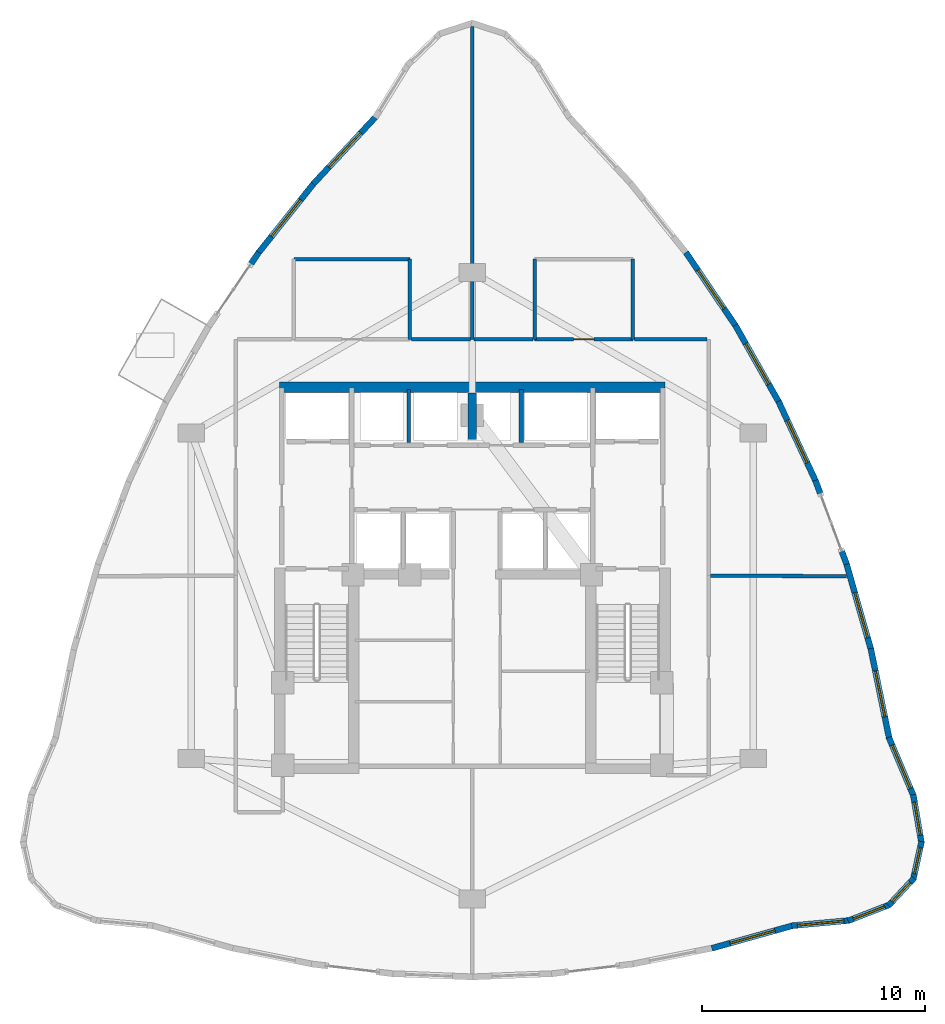
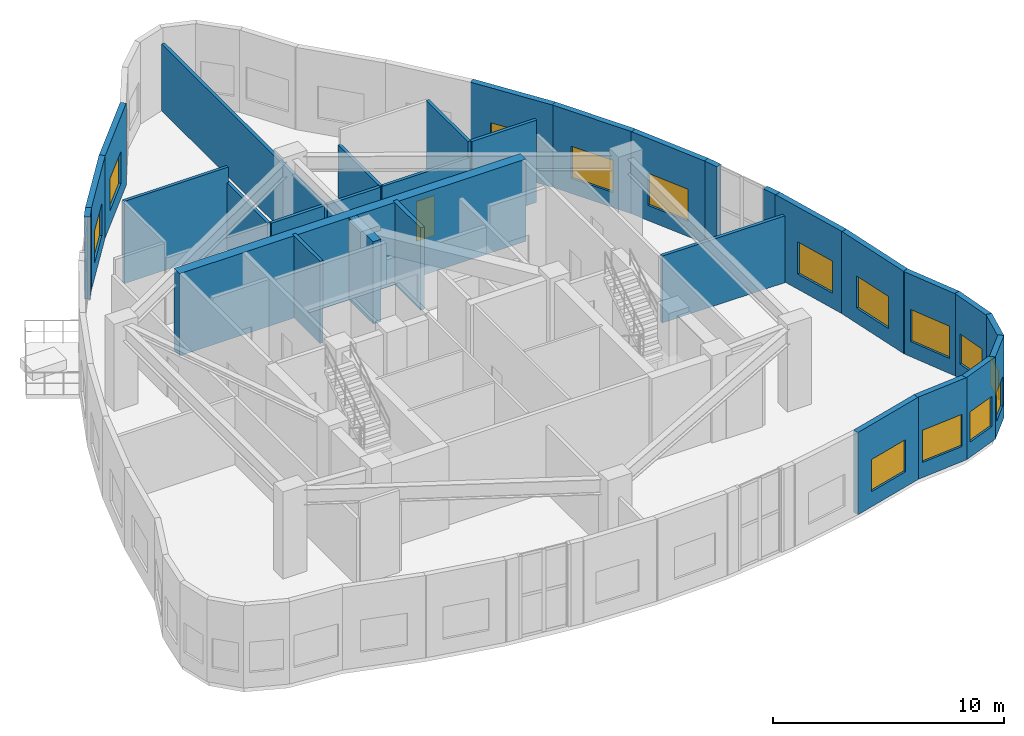
# One storey, part 12 of 14: 31 walls, 14 windows, 1 door, 15 openings.
"""IFC4 building model written with IfcOpenShell, lengths in metres."""

from ifc_helpers import new_model, si_unit, direction, frame, frame_2d, origin, place, context, subcontext, project, spatial, rectangle, extrude, material, layer, layer_set, type_object, element, fill, save


model = new_model("IFC4")

# Units and contexts
model_context = context("Model", 3, precision=1e-05, world=origin(), true_north=direction((0.0, 1.0)))
body_context = subcontext(model_context, "Body", "Model", "MODEL_VIEW")
ifc_project = project(units=[si_unit("LENGTHUNIT", "METRE"), si_unit("AREAUNIT", "SQUARE_METRE"), si_unit("VOLUMEUNIT", "CUBIC_METRE"), si_unit("PLANEANGLEUNIT", "RADIAN"), si_unit("MASSUNIT", "GRAM", prefix="KILO")], contexts=[model_context])

# Site, building, storey
site_placement = place(None, origin())
site = spatial("IfcSite", under=ifc_project, at=site_placement, CompositionType="ELEMENT")
building_placement = place(site_placement, origin())
building = spatial("IfcBuilding", under=site, at=building_placement, Name="Miruveldt Soraemaru", CompositionType="ELEMENT")
storey_placement = place(building_placement, frame((0.0, 0.0, 189.800048828125)))
storey = spatial("IfcBuildingStorey", under=building, at=storey_placement, Name="L52", CompositionType="ELEMENT", Elevation=189.800048828125)

# Walls
ifc_material_1 = material(Name="Concrete C70/85 (70 MPa)", Category="concrete")
ifc_layer_1 = layer(ifc_material_1, 0.5, Name="Concrete C70/85 (70 MPa)", Category="concrete")
ifc_layer_set_1 = layer_set([ifc_layer_1], Name="Concrete C70/85 (70 MPa)")
wall_type_1 = type_object("IfcWallType", Name="WALL-BW-500", PredefinedType="SHEAR", material=ifc_layer_set_1)
wall_1_placement = place(storey_placement, frame((44.0, 50.10009765625, 0.0), z_axis=(0.0, 0.0, 1.0), x_axis=(0.0, 1.0, 0.0)))
element("IfcWall", 1, at=wall_1_placement, inside=storey, type_object=wall_type_1, Name="L52 Core Buttress Shear Wall BN", PredefinedType="SHEAR", context=body_context, shape_type="SweptSolid", body=[
    extrude(rectangle(XDim=2.099853515625, YDim=0.39990234375, at=frame_2d((1.0498046875, 0.0))), origin(), (0.0, 0.0, 1.0), 4.344970703125),
])
ifc_material_2 = material(Name="Concrete C60/75 (60 MPa)", Category="concrete")
ifc_layer_2 = layer(ifc_material_2, 0.47998046875, Name="Concrete C60/75 (60 MPa)", Category="concrete")
ifc_layer_set_2 = layer_set([ifc_layer_2], Name="Concrete C60/75 (60 MPa)")
wall_type_2 = type_object("IfcWallType", Name="WALL-CW-480", PredefinedType="SHEAR", material=ifc_layer_set_2)
wall_2_placement = place(storey_placement, frame((35.35009765625, 52.449951171875, 0.0), z_axis=(0.0, 0.0, 1.0), x_axis=(1.0, 0.0, 0.0)))
element("IfcWall", 2, at=wall_2_placement, inside=storey, type_object=wall_type_2, Name="L52 Central Core Shear Wall N", PredefinedType="SHEAR", context=body_context, shape_type="SweptSolid", body=[
    extrude(rectangle(XDim=17.2998046875, YDim=0.47998046875, at=frame_2d((8.64990234375, 0.0))), origin(), (0.0, 0.0, 1.0), 4.344970703125),
])

# Wall, opening, window
ifc_material_3 = material(Name="Precast concrete C45/55 (45 MPa)", Category="concrete")
ifc_layer_3 = layer(ifc_material_3, 0.27001953125, Name="Precast concrete C45/55 (45 MPa)", Category="concrete")
ifc_layer_set_3 = layer_set([ifc_layer_3], Name="Precast concrete C45/55 (45 MPa)")
wall_type_3 = type_object("IfcWallType", Name="WALL-EXT-PC270", PredefinedType="SOLIDWALL", material=ifc_layer_set_3)
wall_3_placement = place(storey_placement, frame((39.68603515625, 64.602783203125, 0.0), z_axis=(0.0, 0.0, 1.0), x_axis=(-0.680885456992, -0.732389919686, 0.0)))
wall_3 = element("IfcWall", 3, at=wall_3_placement, inside=storey, type_object=wall_type_3, Name="L52 Precast Concrete Facade Wall 7", PredefinedType="SOLIDWALL", context=body_context, shape_type="SweptSolid", body=[
    extrude(rectangle(XDim=4.13818359375, YDim=0.27001953125, at=frame_2d((2.069091796875, 0.0))), origin(), (0.0, 0.0, 1.0), 4.344970703125),
])
opening_1_placement = place(wall_3_placement, frame((1.01904296875, 0.0, 0.800048828125)))
opening_1 = element("IfcOpeningElement", 4, at=opening_1_placement, cuts=wall_3, Name="Opening WN-1", PredefinedType="OPENING", context=body_context, shape_type="SweptSolid", body=[
    extrude(rectangle(XDim=2.10009765625, YDim=1.699951171875, at=frame_2d((1.050048828125, 0.85009765625))), frame((0.0, 0.14501953125, 0.0), z_axis=(0.0, -1.0, 0.0), x_axis=(1.0, 0.0, 0.0)), (0.0, 0.0, 1.0), 0.2900390625),
])
ifc_material_4 = material(Name="Triple low-e insulated glazing", Category="glass")
window_type_1 = type_object("IfcWindowType", Name="WIN-PUNCH-2100x1700", PartitioningType="SINGLE_PANEL", PredefinedType="WINDOW", material=ifc_material_4)
window_1_placement = place(opening_1_placement, origin())
window_1 = element("IfcWindow", 5, at=window_1_placement, inside=storey, type_object=window_type_1, Name="L52 Punched Triple-Glazed Window 07.1", OverallHeight=1.699951171875, OverallWidth=2.10009765625, PartitioningType="SINGLE_PANEL", PredefinedType="WINDOW", context=body_context, shape_type="SweptSolid", body=[
    extrude(rectangle(XDim=2.10009765625, YDim=1.699951171875, at=frame_2d((1.050048828125, 0.85009765625))), frame((0.0, 0.030029296875, 0.0), z_axis=(0.0, -1.0, 0.0), x_axis=(1.0, 0.0, 0.0)), (0.0, 0.0, 1.0), 0.06005859375),
])
fill(opening_1, window_1)

wall_4_placement = place(storey_placement, frame((36.913818359375, 61.625, 0.0), z_axis=(0.0, 0.0, 1.0), x_axis=(-0.623573825008, -0.781764468856, 0.0)))
wall_4 = element("IfcWall", 6, at=wall_4_placement, inside=storey, type_object=wall_type_3, Name="L52 Precast Concrete Facade Wall 8", PredefinedType="SOLIDWALL", context=body_context, shape_type="SweptSolid", body=[
    extrude(rectangle(XDim=4.065185546875, YDim=0.27001953125, at=frame_2d((2.03271484375, 0.0))), origin(), (0.0, 0.0, 1.0), 4.344970703125),
])
opening_2_placement = place(wall_4_placement, frame((0.98193359375, 0.0, 0.800048828125)))
opening_2 = element("IfcOpeningElement", 7, at=opening_2_placement, cuts=wall_4, Name="Opening WN-1", PredefinedType="OPENING", context=body_context, shape_type="SweptSolid", body=[
    extrude(rectangle(XDim=2.10009765625, YDim=1.699951171875, at=frame_2d((1.050048828125, 0.85009765625))), frame((0.0, 0.14501953125, 0.0), z_axis=(0.0, -1.0, 0.0), x_axis=(1.0, 0.0, 0.0)), (0.0, 0.0, 1.0), 0.2900390625),
])
window_2_placement = place(opening_2_placement, origin())
window_2 = element("IfcWindow", 8, at=window_2_placement, inside=storey, type_object=window_type_1, Name="L52 Punched Triple-Glazed Window 08.1", OverallHeight=1.699951171875, OverallWidth=2.10009765625, PartitioningType="SINGLE_PANEL", PredefinedType="WINDOW", context=body_context, shape_type="SweptSolid", body=[
    extrude(rectangle(XDim=2.10009765625, YDim=1.699951171875, at=frame_2d((1.050048828125, 0.85009765625))), frame((0.0, 0.030029296875, 0.0), z_axis=(0.0, -1.0, 0.0), x_axis=(1.0, 0.0, 0.0)), (0.0, 0.0, 1.0), 0.06005859375),
])
fill(opening_2, window_2)

# Wall
wall_5_placement = place(storey_placement, frame((34.420166015625, 58.50341796875, 0.0), z_axis=(0.0, 0.0, 1.0), x_axis=(-0.56067967064, -0.828032793391, 0.0)))
element("IfcWall", 9, at=wall_5_placement, inside=storey, type_object=wall_type_3, Name="L52 Precast Pier Left 9", PredefinedType="SOLIDWALL", context=body_context, shape_type="SweptSolid", body=[
    extrude(rectangle(XDim=0.705078125, YDim=0.27001953125, at=frame_2d((0.3525390625, 0.0))), origin(), (0.0, 0.0, 1.0), 4.344970703125),
])

# Wall, opening, window
wall_6_placement = place(storey_placement, frame((54.73681640625, 27.289306640625, 0.0), z_axis=(0.0, 0.0, 1.0), x_axis=(0.96296335217, 0.269632309595, 0.0)))
wall_6 = element("IfcWall", 10, at=wall_6_placement, inside=storey, type_object=wall_type_3, Name="L52 Precast Concrete Facade Wall 28", PredefinedType="SOLIDWALL", context=body_context, shape_type="SweptSolid", body=[
    extrude(rectangle(XDim=3.79833984375, YDim=0.27001953125, at=frame_2d((1.899169921875, 0.0))), origin(), (0.0, 0.0, 1.0), 4.344970703125),
])
opening_3_placement = place(wall_6_placement, frame((0.84912109375, 0.0, 0.800048828125)))
opening_3 = element("IfcOpeningElement", 11, at=opening_3_placement, cuts=wall_6, Name="Opening WN-1", PredefinedType="OPENING", context=body_context, shape_type="SweptSolid", body=[
    extrude(rectangle(XDim=2.10009765625, YDim=1.699951171875, at=frame_2d((1.050048828125, 0.85009765625))), frame((0.0, 0.14501953125, 0.0), z_axis=(0.0, -1.0, 0.0), x_axis=(1.0, 0.0, 0.0)), (0.0, 0.0, 1.0), 0.2900390625),
])
window_3_placement = place(opening_3_placement, origin())
window_3 = element("IfcWindow", 12, at=window_3_placement, inside=storey, type_object=window_type_1, Name="L52 Punched Triple-Glazed Window 28.1", OverallHeight=1.699951171875, OverallWidth=2.10009765625, PartitioningType="SINGLE_PANEL", PredefinedType="WINDOW", context=body_context, shape_type="SweptSolid", body=[
    extrude(rectangle(XDim=2.10009765625, YDim=1.699951171875, at=frame_2d((1.050048828125, 0.85009765625))), frame((0.0, 0.030029296875, 0.0), z_axis=(0.0, -1.0, 0.0), x_axis=(1.0, 0.0, 0.0)), (0.0, 0.0, 1.0), 0.06005859375),
])
fill(opening_3, window_3)

wall_7_placement = place(storey_placement, frame((58.325927734375, 28.30078125, 0.0), z_axis=(0.0, 0.0, 1.0), x_axis=(0.995758775915, 0.092002500986, 0.0)))
wall_7 = element("IfcWall", 13, at=wall_7_placement, inside=storey, type_object=wall_type_3, Name="L52 Precast Concrete Facade Wall 29", PredefinedType="SOLIDWALL", context=body_context, shape_type="SweptSolid", body=[
    extrude(rectangle(XDim=2.611083984375, YDim=0.27001953125, at=frame_2d((1.3056640625, 0.0))), origin(), (0.0, 0.0, 1.0), 4.344970703125),
])
opening_4_placement = place(wall_7_placement, frame((0.256103515625, 0.0, 0.800048828125)))
opening_4 = element("IfcOpeningElement", 14, at=opening_4_placement, cuts=wall_7, Name="Opening WN-1", PredefinedType="OPENING", context=body_context, shape_type="SweptSolid", body=[
    extrude(rectangle(XDim=2.10009765625, YDim=1.699951171875, at=frame_2d((1.050048828125, 0.85009765625))), frame((0.0, 0.14501953125, 0.0), z_axis=(0.0, -1.0, 0.0), x_axis=(1.0, 0.0, 0.0)), (0.0, 0.0, 1.0), 0.2900390625),
])
window_4_placement = place(opening_4_placement, origin())
window_4 = element("IfcWindow", 15, at=window_4_placement, inside=storey, type_object=window_type_1, Name="L52 Punched Triple-Glazed Window 29.1", OverallHeight=1.699951171875, OverallWidth=2.10009765625, PartitioningType="SINGLE_PANEL", PredefinedType="WINDOW", context=body_context, shape_type="SweptSolid", body=[
    extrude(rectangle(XDim=2.10009765625, YDim=1.699951171875, at=frame_2d((1.050048828125, 0.85009765625))), frame((0.0, 0.030029296875, 0.0), z_axis=(0.0, -1.0, 0.0), x_axis=(1.0, 0.0, 0.0)), (0.0, 0.0, 1.0), 0.06005859375),
])
fill(opening_4, window_4)

wall_8_placement = place(storey_placement, frame((60.858642578125, 28.52490234375, 0.0), z_axis=(0.0, 0.0, 1.0), x_axis=(0.932241694323, 0.361836183051, 0.0)))
wall_8 = element("IfcWall", 16, at=wall_8_placement, inside=storey, type_object=wall_type_3, Name="L52 Precast Concrete Facade Wall 30", PredefinedType="SOLIDWALL", context=body_context, shape_type="SweptSolid", body=[
    extrude(rectangle(XDim=2.008544921875, YDim=0.27001953125, at=frame_2d((1.00439453125, 0.0))), origin(), (0.0, 0.0, 1.0), 4.344970703125),
])
opening_5_placement = place(wall_8_placement, frame((0.25390625, 0.0, 0.800048828125)))
opening_5 = element("IfcOpeningElement", 17, at=opening_5_placement, cuts=wall_8, Name="Opening WN-3", PredefinedType="OPENING", context=body_context, shape_type="SweptSolid", body=[
    extrude(rectangle(XDim=1.5, YDim=1.60009765625, at=frame_2d((0.75, 0.800048828125))), frame((0.0, 0.14501953125, 0.0), z_axis=(0.0, -1.0, 0.0), x_axis=(1.0, 0.0, 0.0)), (0.0, 0.0, 1.0), 0.2900390625),
])
window_type_2 = type_object("IfcWindowType", Name="WIN-PUNCH-1500x1600", PartitioningType="SINGLE_PANEL", PredefinedType="WINDOW", material=ifc_material_4)
window_5_placement = place(opening_5_placement, origin())
window_5 = element("IfcWindow", 18, at=window_5_placement, inside=storey, type_object=window_type_2, Name="L52 Punched Triple-Glazed Window 30.1", OverallHeight=1.60009765625, OverallWidth=1.5, PartitioningType="SINGLE_PANEL", PredefinedType="WINDOW", context=body_context, shape_type="SweptSolid", body=[
    extrude(rectangle(XDim=1.5, YDim=1.60009765625, at=frame_2d((0.75, 0.800048828125))), frame((0.0, 0.030029296875, 0.0), z_axis=(0.0, -1.0, 0.0), x_axis=(1.0, 0.0, 0.0)), (0.0, 0.0, 1.0), 0.06005859375),
])
fill(opening_5, window_5)

wall_9_placement = place(storey_placement, frame((62.6748046875, 29.21337890625, 0.0), z_axis=(0.0, 0.0, 1.0), x_axis=(0.680209121553, 0.733018110934, 0.0)))
wall_9 = element("IfcWall", 19, at=wall_9_placement, inside=storey, type_object=wall_type_3, Name="L52 Precast Concrete Facade Wall 31", PredefinedType="SOLIDWALL", context=body_context, shape_type="SweptSolid", body=[
    extrude(rectangle(XDim=1.664306640625, YDim=0.27001953125, at=frame_2d((0.83203125, 0.0))), origin(), (0.0, 0.0, 1.0), 4.344970703125),
])
opening_6_placement = place(wall_9_placement, frame((0.23193359375, 0.0, 0.780029296875)))
opening_6 = element("IfcOpeningElement", 20, at=opening_6_placement, cuts=wall_9, Name="Opening WN-4", PredefinedType="OPENING", context=body_context, shape_type="SweptSolid", body=[
    extrude(rectangle(XDim=1.199951171875, YDim=1.550048828125, at=frame_2d((0.60009765625, 0.77490234375))), frame((0.0, 0.14501953125, 0.0), z_axis=(0.0, -1.0, 0.0), x_axis=(1.0, 0.0, 0.0)), (0.0, 0.0, 1.0), 0.2900390625),
])
window_type_3 = type_object("IfcWindowType", Name="WIN-PUNCH-1200x1550", PartitioningType="SINGLE_PANEL", PredefinedType="WINDOW", material=ifc_material_4)
window_6_placement = place(opening_6_placement, origin())
window_6 = element("IfcWindow", 21, at=window_6_placement, inside=storey, type_object=window_type_3, Name="L52 Punched Triple-Glazed Window 31.1", OverallHeight=1.550048828125, OverallWidth=1.199951171875, PartitioningType="SINGLE_PANEL", PredefinedType="WINDOW", context=body_context, shape_type="SweptSolid", body=[
    extrude(rectangle(XDim=1.199951171875, YDim=1.550048828125, at=frame_2d((0.60009765625, 0.77490234375))), frame((0.0, 0.030029296875, 0.0), z_axis=(0.0, -1.0, 0.0), x_axis=(1.0, 0.0, 0.0)), (0.0, 0.0, 1.0), 0.06005859375),
])
fill(opening_6, window_6)

wall_10_placement = place(storey_placement, frame((63.775390625, 30.37353515625, 0.0), z_axis=(0.0, 0.0, 1.0), x_axis=(0.215790112764, 0.976439771432, 0.0)))
wall_10 = element("IfcWall", 22, at=wall_10_placement, inside=storey, type_object=wall_type_3, Name="L52 Precast Concrete Facade Wall 32", PredefinedType="SOLIDWALL", context=body_context, shape_type="SweptSolid", body=[
    extrude(rectangle(XDim=1.74560546875, YDim=0.27001953125, at=frame_2d((0.872802734375, 0.0))), origin(), (0.0, 0.0, 1.0), 4.344970703125),
])
opening_7_placement = place(wall_10_placement, frame((0.27294921875, 0.0, 0.780029296875)))
opening_7 = element("IfcOpeningElement", 23, at=opening_7_placement, cuts=wall_10, Name="Opening WN-4", PredefinedType="OPENING", context=body_context, shape_type="SweptSolid", body=[
    extrude(rectangle(XDim=1.199951171875, YDim=1.550048828125, at=frame_2d((0.60009765625, 0.77490234375))), frame((0.0, 0.14501953125, 0.0), z_axis=(0.0, -1.0, 0.0), x_axis=(1.0, 0.0, 0.0)), (0.0, 0.0, 1.0), 0.2900390625),
])
window_7_placement = place(opening_7_placement, origin())
window_7 = element("IfcWindow", 24, at=window_7_placement, inside=storey, type_object=window_type_3, Name="L52 Punched Triple-Glazed Window 32.1", OverallHeight=1.550048828125, OverallWidth=1.199951171875, PartitioningType="SINGLE_PANEL", PredefinedType="WINDOW", context=body_context, shape_type="SweptSolid", body=[
    extrude(rectangle(XDim=1.199951171875, YDim=1.550048828125, at=frame_2d((0.60009765625, 0.77490234375))), frame((0.0, 0.030029296875, 0.0), z_axis=(0.0, -1.0, 0.0), x_axis=(1.0, 0.0, 0.0)), (0.0, 0.0, 1.0), 0.06005859375),
])
fill(opening_7, window_7)

wall_11_placement = place(storey_placement, frame((64.150390625, 32.009521484375, 0.0), z_axis=(0.0, 0.0, 1.0), x_axis=(-0.169335748739, 0.985558422519, 0.0)))
wall_11 = element("IfcWall", 25, at=wall_11_placement, inside=storey, type_object=wall_type_3, Name="L52 Precast Concrete Facade Wall 33", PredefinedType="SOLIDWALL", context=body_context, shape_type="SweptSolid", body=[
    extrude(rectangle(XDim=2.204345703125, YDim=0.27001953125, at=frame_2d((1.10205078125, 0.0))), origin(), (0.0, 0.0, 1.0), 4.344970703125),
])
opening_8_placement = place(wall_11_placement, frame((0.35302734375, 0.0, 0.800048828125)))
opening_8 = element("IfcOpeningElement", 26, at=opening_8_placement, cuts=wall_11, Name="Opening WN-3", PredefinedType="OPENING", context=body_context, shape_type="SweptSolid", body=[
    extrude(rectangle(XDim=1.5, YDim=1.60009765625, at=frame_2d((0.75, 0.800048828125))), frame((0.0, 0.14501953125, 0.0), z_axis=(0.0, -1.0, 0.0), x_axis=(1.0, 0.0, 0.0)), (0.0, 0.0, 1.0), 0.2900390625),
])
window_8_placement = place(opening_8_placement, origin())
window_8 = element("IfcWindow", 27, at=window_8_placement, inside=storey, type_object=window_type_2, Name="L52 Punched Triple-Glazed Window 33.1", OverallHeight=1.60009765625, OverallWidth=1.5, PartitioningType="SINGLE_PANEL", PredefinedType="WINDOW", context=body_context, shape_type="SweptSolid", body=[
    extrude(rectangle(XDim=1.5, YDim=1.60009765625, at=frame_2d((0.75, 0.800048828125))), frame((0.0, 0.030029296875, 0.0), z_axis=(0.0, -1.0, 0.0), x_axis=(1.0, 0.0, 0.0)), (0.0, 0.0, 1.0), 0.06005859375),
])
fill(opening_8, window_8)

wall_12_placement = place(storey_placement, frame((63.796630859375, 34.115478515625, 0.0), z_axis=(0.0, 0.0, 1.0), x_axis=(-0.38869031628, 0.921368459429, 0.0)))
wall_12 = element("IfcWall", 28, at=wall_12_placement, inside=storey, type_object=wall_type_3, Name="L52 Precast Concrete Facade Wall 34", PredefinedType="SOLIDWALL", context=body_context, shape_type="SweptSolid", body=[
    extrude(rectangle(XDim=2.8603515625, YDim=0.27001953125, at=frame_2d((1.43017578125, 0.0))), origin(), (0.0, 0.0, 1.0), 4.344970703125),
])
opening_9_placement = place(wall_12_placement, frame((0.3798828125, 0.0, 0.800048828125)))
opening_9 = element("IfcOpeningElement", 29, at=opening_9_placement, cuts=wall_12, Name="Opening WN-1", PredefinedType="OPENING", context=body_context, shape_type="SweptSolid", body=[
    extrude(rectangle(XDim=2.10009765625, YDim=1.699951171875, at=frame_2d((1.050048828125, 0.85009765625))), frame((0.0, 0.14501953125, 0.0), z_axis=(0.0, -1.0, 0.0), x_axis=(1.0, 0.0, 0.0)), (0.0, 0.0, 1.0), 0.2900390625),
])
window_9_placement = place(opening_9_placement, origin())
window_9 = element("IfcWindow", 30, at=window_9_placement, inside=storey, type_object=window_type_1, Name="L52 Punched Triple-Glazed Window 34.1", OverallHeight=1.699951171875, OverallWidth=2.10009765625, PartitioningType="SINGLE_PANEL", PredefinedType="WINDOW", context=body_context, shape_type="SweptSolid", body=[
    extrude(rectangle(XDim=2.10009765625, YDim=1.699951171875, at=frame_2d((1.050048828125, 0.85009765625))), frame((0.0, 0.030029296875, 0.0), z_axis=(0.0, -1.0, 0.0), x_axis=(1.0, 0.0, 0.0)), (0.0, 0.0, 1.0), 0.06005859375),
])
fill(opening_9, window_9)

wall_13_placement = place(storey_placement, frame((62.70556640625, 36.6845703125, 0.0), z_axis=(0.0, 0.0, 1.0), x_axis=(-0.201581344419, 0.979471776818, 0.0)))
wall_13 = element("IfcWall", 31, at=wall_13_placement, inside=storey, type_object=wall_type_3, Name="L52 Precast Concrete Facade Wall 35", PredefinedType="SOLIDWALL", context=body_context, shape_type="SweptSolid", body=[
    extrude(rectangle(XDim=4.138427734375, YDim=0.27001953125, at=frame_2d((2.0693359375, 0.0))), origin(), (0.0, 0.0, 1.0), 4.344970703125),
])
opening_10_placement = place(wall_13_placement, frame((1.01904296875, 0.0, 0.800048828125)))
opening_10 = element("IfcOpeningElement", 32, at=opening_10_placement, cuts=wall_13, Name="Opening WN-1", PredefinedType="OPENING", context=body_context, shape_type="SweptSolid", body=[
    extrude(rectangle(XDim=2.10009765625, YDim=1.699951171875, at=frame_2d((1.050048828125, 0.85009765625))), frame((0.0, 0.14501953125, 0.0), z_axis=(0.0, -1.0, 0.0), x_axis=(1.0, 0.0, 0.0)), (0.0, 0.0, 1.0), 0.2900390625),
])
window_10_placement = place(opening_10_placement, origin())
window_10 = element("IfcWindow", 33, at=window_10_placement, inside=storey, type_object=window_type_1, Name="L52 Punched Triple-Glazed Window 35.1", OverallHeight=1.699951171875, OverallWidth=2.10009765625, PartitioningType="SINGLE_PANEL", PredefinedType="WINDOW", context=body_context, shape_type="SweptSolid", body=[
    extrude(rectangle(XDim=2.10009765625, YDim=1.699951171875, at=frame_2d((1.050048828125, 0.85009765625))), frame((0.0, 0.030029296875, 0.0), z_axis=(0.0, -1.0, 0.0), x_axis=(1.0, 0.0, 0.0)), (0.0, 0.0, 1.0), 0.06005859375),
])
fill(opening_10, window_10)

wall_14_placement = place(storey_placement, frame((61.88818359375, 40.669921875, 0.0), z_axis=(0.0, 0.0, 1.0), x_axis=(-0.274982858316, 0.961449128988, 0.0)))
wall_14 = element("IfcWall", 34, at=wall_14_placement, inside=storey, type_object=wall_type_3, Name="L52 Precast Concrete Facade Wall 36", PredefinedType="SOLIDWALL", context=body_context, shape_type="SweptSolid", body=[
    extrude(rectangle(XDim=4.0654296875, YDim=0.27001953125, at=frame_2d((2.03271484375, 0.0))), origin(), (0.0, 0.0, 1.0), 4.344970703125),
])
opening_11_placement = place(wall_14_placement, frame((0.573974609375, 0.0, 0.800048828125)))
opening_11 = element("IfcOpeningElement", 35, at=opening_11_placement, cuts=wall_14, Name="Opening WN-1", PredefinedType="OPENING", context=body_context, shape_type="SweptSolid", body=[
    extrude(rectangle(XDim=2.10009765625, YDim=1.699951171875, at=frame_2d((1.050048828125, 0.85009765625))), frame((0.0, 0.14501953125, 0.0), z_axis=(0.0, -1.0, 0.0), x_axis=(1.0, 0.0, 0.0)), (0.0, 0.0, 1.0), 0.2900390625),
])
window_11_placement = place(opening_11_placement, origin())
window_11 = element("IfcWindow", 36, at=window_11_placement, inside=storey, type_object=window_type_1, Name="L52 Punched Triple-Glazed Window 36.1", OverallHeight=1.699951171875, OverallWidth=2.10009765625, PartitioningType="SINGLE_PANEL", PredefinedType="WINDOW", context=body_context, shape_type="SweptSolid", body=[
    extrude(rectangle(XDim=2.10009765625, YDim=1.699951171875, at=frame_2d((1.050048828125, 0.85009765625))), frame((0.0, 0.030029296875, 0.0), z_axis=(0.0, -1.0, 0.0), x_axis=(1.0, 0.0, 0.0)), (0.0, 0.0, 1.0), 0.06005859375),
])
fill(opening_11, window_11)

# Walls
wall_15_placement = place(storey_placement, frame((60.7919921875, 44.51220703125, 0.0), z_axis=(0.0, 0.0, 1.0), x_axis=(-0.349073246867, 0.937095442483, 0.0)))
element("IfcWall", 37, at=wall_15_placement, inside=storey, type_object=wall_type_3, Name="L52 Precast Pier Left 37", PredefinedType="SOLIDWALL", context=body_context, shape_type="SweptSolid", body=[
    extrude(rectangle(XDim=0.705078125, YDim=0.27001953125, at=frame_2d((0.3525390625, 0.0))), origin(), (0.0, 0.0, 1.0), 4.344970703125),
])
wall_16_placement = place(storey_placement, frame((59.636474609375, 47.614990234375, 0.0), z_axis=(0.0, 0.0, 1.0), x_axis=(-0.349186561918, 0.937053224196, 0.0)))
element("IfcWall", 38, at=wall_16_placement, inside=storey, type_object=wall_type_3, Name="L52 Precast Pier Right 37", PredefinedType="SOLIDWALL", context=body_context, shape_type="SweptSolid", body=[
    extrude(rectangle(XDim=0.704833984375, YDim=0.27001953125, at=frame_2d((0.3525390625, 0.0))), origin(), (0.0, 0.0, 1.0), 4.344970703125),
])

# Wall, opening, window
wall_17_placement = place(storey_placement, frame((59.41748046875, 48.2109375, 0.0), z_axis=(0.0, 0.0, 1.0), x_axis=(-0.422329482268, 0.906442391113, 0.0)))
wall_17 = element("IfcWall", 39, at=wall_17_placement, inside=storey, type_object=wall_type_3, Name="L52 Precast Concrete Facade Wall 38", PredefinedType="SOLIDWALL", context=body_context, shape_type="SweptSolid", body=[
    extrude(rectangle(XDim=3.990966796875, YDim=0.27001953125, at=frame_2d((1.99560546875, 0.0))), origin(), (0.0, 0.0, 1.0), 4.344970703125),
])
opening_12_placement = place(wall_17_placement, frame((0.946044921875, 0.0, 0.800048828125)))
opening_12 = element("IfcOpeningElement", 40, at=opening_12_placement, cuts=wall_17, Name="Opening WN-1", PredefinedType="OPENING", context=body_context, shape_type="SweptSolid", body=[
    extrude(rectangle(XDim=2.10009765625, YDim=1.699951171875, at=frame_2d((1.050048828125, 0.85009765625))), frame((0.0, 0.14501953125, 0.0), z_axis=(0.0, -1.0, 0.0), x_axis=(1.0, 0.0, 0.0)), (0.0, 0.0, 1.0), 0.2900390625),
])
window_12_placement = place(opening_12_placement, origin())
window_12 = element("IfcWindow", 41, at=window_12_placement, inside=storey, type_object=window_type_1, Name="L52 Punched Triple-Glazed Window 38.1", OverallHeight=1.699951171875, OverallWidth=2.10009765625, PartitioningType="SINGLE_PANEL", PredefinedType="WINDOW", context=body_context, shape_type="SweptSolid", body=[
    extrude(rectangle(XDim=2.10009765625, YDim=1.699951171875, at=frame_2d((1.050048828125, 0.85009765625))), frame((0.0, 0.030029296875, 0.0), z_axis=(0.0, -1.0, 0.0), x_axis=(1.0, 0.0, 0.0)), (0.0, 0.0, 1.0), 0.06005859375),
])
fill(opening_12, window_12)

wall_18_placement = place(storey_placement, frame((57.76416015625, 51.7666015625, 0.0), z_axis=(0.0, 0.0, 1.0), x_axis=(-0.49338915539, 0.869808680885, 0.0)))
wall_18 = element("IfcWall", 42, at=wall_18_placement, inside=storey, type_object=wall_type_3, Name="L52 Precast Concrete Facade Wall 39", PredefinedType="SOLIDWALL", context=body_context, shape_type="SweptSolid", body=[
    extrude(rectangle(XDim=3.99072265625, YDim=0.27001953125, at=frame_2d((1.995361328125, 0.0))), origin(), (0.0, 0.0, 1.0), 4.344970703125),
])
opening_13_placement = place(wall_18_placement, frame((0.946044921875, 0.0, 0.800048828125)))
opening_13 = element("IfcOpeningElement", 43, at=opening_13_placement, cuts=wall_18, Name="Opening WN-1", PredefinedType="OPENING", context=body_context, shape_type="SweptSolid", body=[
    extrude(rectangle(XDim=2.10009765625, YDim=1.699951171875, at=frame_2d((1.050048828125, 0.85009765625))), frame((0.0, 0.14501953125, 0.0), z_axis=(0.0, -1.0, 0.0), x_axis=(1.0, 0.0, 0.0)), (0.0, 0.0, 1.0), 0.2900390625),
])
window_13_placement = place(opening_13_placement, origin())
window_13 = element("IfcWindow", 44, at=window_13_placement, inside=storey, type_object=window_type_1, Name="L52 Punched Triple-Glazed Window 39.1", OverallHeight=1.699951171875, OverallWidth=2.10009765625, PartitioningType="SINGLE_PANEL", PredefinedType="WINDOW", context=body_context, shape_type="SweptSolid", body=[
    extrude(rectangle(XDim=2.10009765625, YDim=1.699951171875, at=frame_2d((1.050048828125, 0.85009765625))), frame((0.0, 0.030029296875, 0.0), z_axis=(0.0, -1.0, 0.0), x_axis=(1.0, 0.0, 0.0)), (0.0, 0.0, 1.0), 0.06005859375),
])
fill(opening_13, window_13)

wall_19_placement = place(storey_placement, frame((55.83203125, 55.178466796875, 0.0), z_axis=(0.0, 0.0, 1.0), x_axis=(-0.560815883667, 0.827940544137, 0.0)))
wall_19 = element("IfcWall", 45, at=wall_19_placement, inside=storey, type_object=wall_type_3, Name="L52 Precast Concrete Facade Wall 40", PredefinedType="SOLIDWALL", context=body_context, shape_type="SweptSolid", body=[
    extrude(rectangle(XDim=4.015869140625, YDim=0.27001953125, at=frame_2d((2.0078125, 0.0))), origin(), (0.0, 0.0, 1.0), 4.344970703125),
])
opening_14_placement = place(wall_19_placement, frame((0.9580078125, 0.0, 0.800048828125)))
opening_14 = element("IfcOpeningElement", 46, at=opening_14_placement, cuts=wall_19, Name="Opening WN-1", PredefinedType="OPENING", context=body_context, shape_type="SweptSolid", body=[
    extrude(rectangle(XDim=2.10009765625, YDim=1.699951171875, at=frame_2d((1.050048828125, 0.85009765625))), frame((0.0, 0.14501953125, 0.0), z_axis=(0.0, -1.0, 0.0), x_axis=(1.0, 0.0, 0.0)), (0.0, 0.0, 1.0), 0.2900390625),
])
window_14_placement = place(opening_14_placement, origin())
window_14 = element("IfcWindow", 47, at=window_14_placement, inside=storey, type_object=window_type_1, Name="L52 Punched Triple-Glazed Window 40.1", OverallHeight=1.699951171875, OverallWidth=2.10009765625, PartitioningType="SINGLE_PANEL", PredefinedType="WINDOW", context=body_context, shape_type="SweptSolid", body=[
    extrude(rectangle(XDim=2.10009765625, YDim=1.699951171875, at=frame_2d((1.050048828125, 0.85009765625))), frame((0.0, 0.030029296875, 0.0), z_axis=(0.0, -1.0, 0.0), x_axis=(1.0, 0.0, 0.0)), (0.0, 0.0, 1.0), 0.06005859375),
])
fill(opening_14, window_14)

# Wall, opening, door
ifc_material_5 = material(Name="Gypsum plasterboard lining", Category="gypsum")
ifc_layer_4 = layer(ifc_material_5, 0.14990234375, Name="Gypsum plasterboard lining", Category="gypsum")
ifc_layer_set_4 = layer_set([ifc_layer_4], Name="Gypsum plasterboard lining")
wall_type_4 = type_object("IfcWallType", Name="WALL-INT-PLUMB", PredefinedType="PLUMBINGWALL", material=ifc_layer_set_4)
wall_20_placement = place(storey_placement, frame((51.199951171875, 54.60009765625, 0.0), z_axis=(0.0, 0.0, 1.0), x_axis=(-1.0, 0.0, 0.0)))
wall_20 = element("IfcWall", 48, at=wall_20_placement, inside=storey, type_object=wall_type_4, Name="L52 Partition Wall 2", PredefinedType="PLUMBINGWALL", context=body_context, shape_type="SweptSolid", body=[
    extrude(rectangle(XDim=4.39990234375, YDim=0.14990234375, at=frame_2d((2.199951171875, 0.0))), origin(), (0.0, 0.0, 1.0), 3.532958984375),
])
opening_15_placement = place(wall_20_placement, frame((1.75, 0.0, 0.0)))
opening_15 = element("IfcOpeningElement", 49, at=opening_15_placement, cuts=wall_20, Name="Opening D3", PredefinedType="OPENING", context=body_context, shape_type="SweptSolid", body=[
    extrude(rectangle(XDim=0.89990234375, YDim=2.10009765625, at=frame_2d((0.449951171875, 1.050048828125))), frame((0.0, 0.0849609375, 0.0), z_axis=(0.0, -1.0, 0.0), x_axis=(1.0, 0.0, 0.0)), (0.0, 0.0, 1.0), 0.169921875),
])
ifc_material_6 = material(Name="Anodised aluminium EN AW-6063 T6", Category="aluminium")
door_type = type_object("IfcDoorType", Name="DOOR-INT-900", OperationType="NOTDEFINED", PredefinedType="DOOR", material=ifc_material_6)
door_placement = place(opening_15_placement, origin())
door = element("IfcDoor", 50, at=door_placement, inside=storey, type_object=door_type, Name="L52 Accessible WC Door", OperationType="SINGLE_SWING_LEFT", OverallHeight=2.10009765625, OverallWidth=0.89990234375, PredefinedType="DOOR", context=body_context, shape_type="SweptSolid", body=[
    extrude(rectangle(XDim=0.89990234375, YDim=2.10009765625, at=frame_2d((0.449951171875, 1.050048828125))), frame((0.0, 0.02490234375, 0.0), z_axis=(0.0, -1.0, 0.0), x_axis=(1.0, 0.0, 0.0)), (0.0, 0.0, 1.0), 0.050048828125),
])
fill(opening_15, door)

# Walls
wall_21_placement = place(storey_placement, frame((41.199951171875, 58.199951171875, 0.0), z_axis=(0.0, 0.0, 1.0), x_axis=(-1.0, 0.0, 0.0)))
element("IfcWall", 51, at=wall_21_placement, inside=storey, type_object=wall_type_4, Name="L52 Partition Wall 15", PredefinedType="PLUMBINGWALL", context=body_context, shape_type="SweptSolid", body=[
    extrude(rectangle(XDim=5.199951171875, YDim=0.14990234375, at=frame_2d((2.60009765625, 0.0))), origin(), (0.0, 0.0, 1.0), 4.344970703125),
])
wall_22_placement = place(storey_placement, frame((41.199951171875, 54.60009765625, 0.0), z_axis=(0.0, 0.0, 1.0), x_axis=(0.0, 1.0, 0.0)))
element("IfcWall", 52, at=wall_22_placement, inside=storey, type_object=wall_type_4, Name="L52 Partition Wall 14", PredefinedType="PLUMBINGWALL", context=body_context, shape_type="SweptSolid", body=[
    extrude(rectangle(XDim=3.599853515625, YDim=0.14990234375, at=frame_2d((1.7998046875, 0.0))), origin(), (0.0, 0.0, 1.0), 3.532958984375),
])
wall_23_placement = place(storey_placement, frame((51.199951171875, 54.60009765625, 0.0), z_axis=(0.0, 0.0, 1.0), x_axis=(0.0, 1.0, 0.0)))
element("IfcWall", 53, at=wall_23_placement, inside=storey, type_object=wall_type_4, Name="L52 Partition Wall 17", PredefinedType="PLUMBINGWALL", context=body_context, shape_type="SweptSolid", body=[
    extrude(rectangle(XDim=3.599853515625, YDim=0.14990234375, at=frame_2d((1.7998046875, 0.0))), origin(), (0.0, 0.0, 1.0), 4.344970703125),
])
wall_24_placement = place(storey_placement, frame((46.800048828125, 58.199951171875, 0.0), z_axis=(0.0, 0.0, 1.0), x_axis=(0.0, -1.0, 0.0)))
element("IfcWall", 54, at=wall_24_placement, inside=storey, type_object=wall_type_4, Name="L52 Partition Wall 19", PredefinedType="PLUMBINGWALL", context=body_context, shape_type="SweptSolid", body=[
    extrude(rectangle(XDim=3.599853515625, YDim=0.14990234375, at=frame_2d((1.7998046875, 0.0))), origin(), (0.0, 0.0, 1.0), 3.532958984375),
])
ifc_material_7 = material(Name="Concrete C40/50 (40 MPa)", Category="concrete")
ifc_layer_5 = layer(ifc_material_7, 0.159912109375, Name="Concrete C40/50 (40 MPa)", Category="concrete")
ifc_layer_set_5 = layer_set([ifc_layer_5], Name="Concrete C40/50 (40 MPa)")
wall_type_5 = type_object("IfcWallType", Name="WALL-INT-RC160", PredefinedType="SOLIDWALL", material=ifc_layer_set_5)
wall_25_placement = place(storey_placement, frame((44.0, 54.60009765625, 0.0), z_axis=(0.0, 0.0, 1.0), x_axis=(0.0, 1.0, 0.0)))
element("IfcWall", 55, at=wall_25_placement, inside=storey, type_object=wall_type_5, Name="L52 Partition Wall 23", PredefinedType="SOLIDWALL", context=body_context, shape_type="SweptSolid", body=[
    extrude(rectangle(XDim=14.02685546875, YDim=0.159912109375, at=frame_2d((7.013427734375, 0.0))), origin(), (0.0, 0.0, 1.0), 3.532958984375),
])
wall_26_placement = place(storey_placement, frame((60.784912109375, 43.98095703125, 0.0), z_axis=(0.0, 0.0, 1.0), x_axis=(-0.999995135171, 0.003119236205, 0.0)))
element("IfcWall", 56, at=wall_26_placement, inside=storey, type_object=wall_type_5, Name="L52 Partition Wall 22", PredefinedType="SOLIDWALL", context=body_context, shape_type="SweptSolid", body=[
    extrude(rectangle(XDim=6.10498046875, YDim=0.159912109375, at=frame_2d((3.052490234375, 0.0))), origin(), (0.0, 0.0, 1.0), 3.532958984375),
])
wall_27_placement = place(storey_placement, frame((54.52001953125, 54.60009765625, 0.0), z_axis=(0.0, 0.0, 1.0), x_axis=(-1.0, 0.0, 0.0)))
element("IfcWall", 57, at=wall_27_placement, inside=storey, type_object=wall_type_5, Name="L52 Partition Wall 12", PredefinedType="SOLIDWALL", context=body_context, shape_type="SweptSolid", body=[
    extrude(rectangle(XDim=3.239990234375, YDim=0.159912109375, at=frame_2d((1.6201171875, 0.0))), origin(), (0.0, 0.0, 1.0), 4.344970703125),
])
for number, where, z_axis, x_axis, name in (
    (58, (43.919921875, 54.60009765625, 0.0), (0.0, 0.0, 1.0), (-1.0, 0.0, 0.0), "L52 Partition Wall 8"),
    (59, (46.719970703125, 54.60009765625, 0.0), (0.0, 0.0, 1.0), (-1.0, 0.0, 0.0), "L52 Partition Wall 13"),
):
    element("IfcWall", number, at=place(storey_placement, frame(where, z_axis=z_axis, x_axis=x_axis)), inside=storey, type_object=wall_type_5, Name=name, PredefinedType="SOLIDWALL", context=body_context, shape_type="SweptSolid", body=[
        extrude(rectangle(XDim=2.639892578125, YDim=0.159912109375, at=frame_2d((1.31982421875, 0.0))), origin(), (0.0, 0.0, 1.0), 3.532958984375),
    ])
wall_28_placement = place(storey_placement, frame((41.14990234375, 49.97998046875, 0.0), z_axis=(0.0, 0.0, 1.0), x_axis=(0.0, 1.0, 0.0)))
element("IfcWall", 60, at=wall_28_placement, inside=storey, type_object=wall_type_5, Name="L52 Core Compartment Wall PLH-DIV1", PredefinedType="SOLIDWALL", context=body_context, shape_type="SweptSolid", body=[
    extrude(rectangle(XDim=2.3701171875, YDim=0.159912109375, at=frame_2d((1.18505859375, 0.0))), origin(), (0.0, 0.0, 1.0), 4.344970703125),
])
ifc_layer_6 = layer(ifc_material_7, 0.199951171875, Name="Concrete C40/50 (40 MPa)", Category="concrete")
ifc_layer_set_6 = layer_set([ifc_layer_6], Name="Concrete C40/50 (40 MPa)")
wall_type_6 = type_object("IfcWallType", Name="WALL-INT-RC200", PredefinedType="SOLIDWALL", material=ifc_layer_set_6)
wall_29_placement = place(storey_placement, frame((46.199951171875, 49.97998046875, 0.0), z_axis=(0.0, 0.0, 1.0), x_axis=(0.0, 1.0, 0.0)))
element("IfcWall", 61, at=wall_29_placement, inside=storey, type_object=wall_type_6, Name="L52 Core Compartment Wall PLH-SL-DIV", PredefinedType="SOLIDWALL", context=body_context, shape_type="SweptSolid", body=[
    extrude(rectangle(XDim=2.3701171875, YDim=0.199951171875, at=frame_2d((1.18505859375, 0.0))), origin(), (0.0, 0.0, 1.0), 4.344970703125),
])

save(model, "model.ifc")
